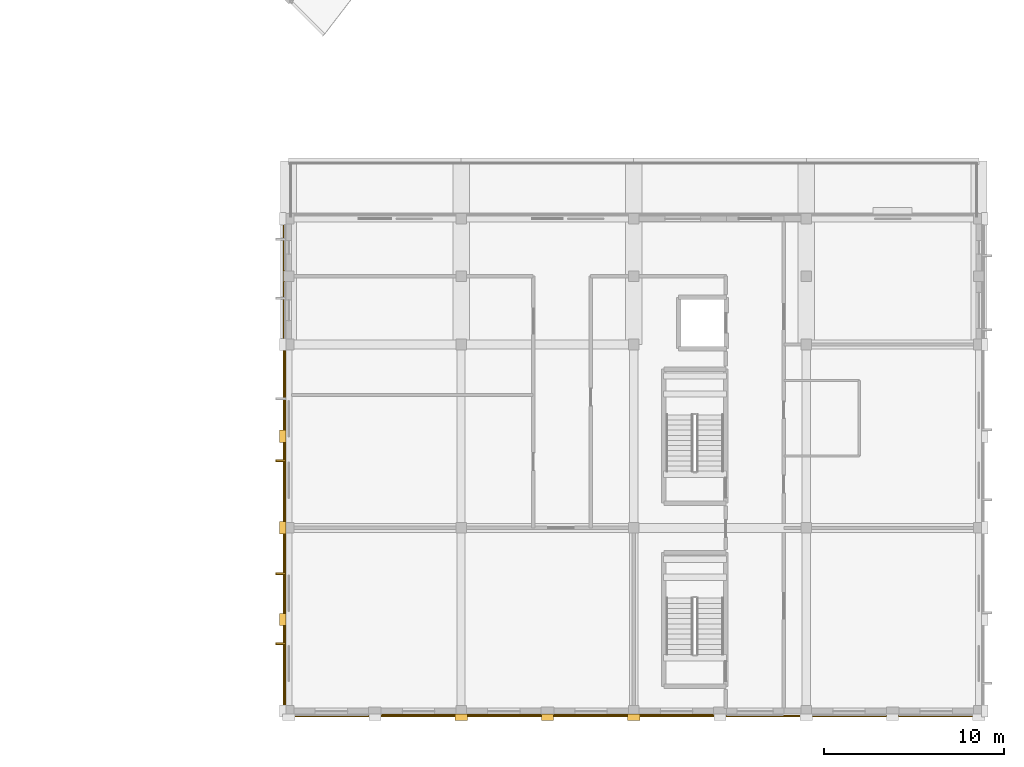
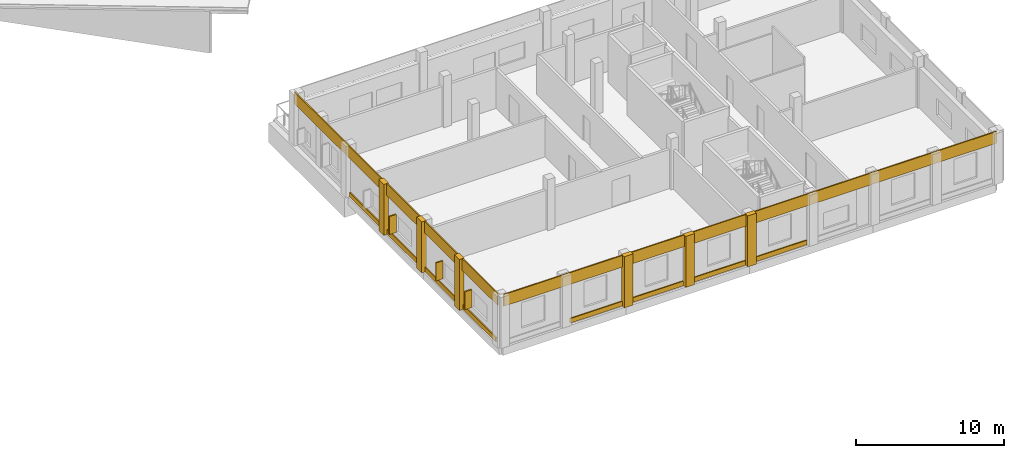
# One storey, part 197 of 200: 14 coverings, 3 shading devices.
"""IFC4 building model written with IfcOpenShell, lengths in metres."""

import ifcopenshell
import ifcopenshell.guid

model = None  # the IFC model being written
_history = None  # IfcOwnerHistory: only IFC2X3 demands one
_inside = {}  # id of a spatial element -> (the spatial element, [elements in it])
_under = {}  # id of a project, library or spatial element -> (it, [spatial elements below it])
_declared = {}  # id of a project -> (the project, [libraries it declares])
_typed = {}  # id of a type object -> (the type object, [elements of that type])
_made_of = {}  # id of a material, layer set ... -> (it, [elements and type objects made of it])


def new_model(schema):
    """Start an empty IFC model of exactly this schema.

    Asked for "IFC4X3", IfcOpenShell would pick the latest addendum, in which some entities
    have other attributes; the version numbers below select the first issue.
    IFC2X3 requires an IfcOwnerHistory on every rooted entity: one is made here for all.
    """
    global model, _history
    if schema == "IFC4X3":
        model = ifcopenshell.file(schema_version=(4, 3, 0, 0))
    else:
        model = ifcopenshell.file(schema=schema)
    _inside.clear()
    _under.clear()
    _declared.clear()
    _typed.clear()
    _made_of.clear()
    _history = None
    if model.schema == "IFC2X3":
        org = make("IfcOrganization", Name="unknown")
        user = make(
            "IfcPersonAndOrganization",
            ThePerson=make("IfcPerson", FamilyName="unknown"),
            TheOrganization=org,
        )
        app = make(
            "IfcApplication",
            ApplicationDeveloper=org,
            Version="unknown",
            ApplicationFullName="unknown",
            ApplicationIdentifier="unknown",
        )
        _history = make(
            "IfcOwnerHistory",
            OwningUser=user,
            OwningApplication=app,
            ChangeAction="ADDED",
            CreationDate=0,
        )
    return model


def make(cls, **values):
    """One entity of the class cls with the attributes given. An attribute that is None is left unset."""
    return model.create_entity(
        cls, **{name: value for name, value in values.items() if value is not None}
    )


def rooted(cls, **values):
    """An entity with a GlobalId (a new one), such as an element, a storey or a relation."""
    return make(cls, GlobalId=ifcopenshell.guid.new(), OwnerHistory=_history, **values)


def si_unit(unit_type, name, prefix=None):
    """IfcSIUnit, for example si_unit("LENGTHUNIT", "METRE", prefix="MILLI")."""
    return make("IfcSIUnit", UnitType=unit_type, Prefix=prefix, Name=name)


def assignment(units):
    """IfcUnitAssignment: the units of a project."""
    return None if units is None else make("IfcUnitAssignment", Units=units)


def point(xyz):
    """IfcCartesianPoint."""
    return None if xyz is None else make("IfcCartesianPoint", Coordinates=xyz)


def direction(xyz):
    """IfcDirection."""
    return None if xyz is None else make("IfcDirection", DirectionRatios=xyz)


def frame(location, z_axis=None, x_axis=None):
    """IfcAxis2Placement3D, a coordinate frame: its origin and axes. An axis left out is left unset."""
    return make(
        "IfcAxis2Placement3D",
        Location=point(location),
        Axis=direction(z_axis),
        RefDirection=direction(x_axis),
    )


def frame_2d(location, x_axis=None):
    """IfcAxis2Placement2D, a coordinate frame in the plane: its origin and x axis."""
    return make(
        "IfcAxis2Placement2D", Location=point(location), RefDirection=direction(x_axis)
    )


def origin():
    """The frame at (0, 0, 0) with its axes left unset."""
    return frame((0.0, 0.0, 0.0))


def origin_2d():
    """The frame at (0, 0) in the plane with its x axis left unset."""
    return frame_2d((0.0, 0.0))


def place(relative_to, where):
    """IfcLocalPlacement: puts the frame where relative to a parent placement (None: the world)."""
    return make(
        "IfcLocalPlacement", PlacementRelTo=relative_to, RelativePlacement=where
    )


def context(
    kind, dimensions, precision=None, world=None, true_north=None, identifier=None
):
    """IfcGeometricRepresentationContext, for example the 3D "Model" context."""
    return make(
        "IfcGeometricRepresentationContext",
        ContextIdentifier=identifier,
        ContextType=kind,
        CoordinateSpaceDimension=dimensions,
        Precision=precision,
        WorldCoordinateSystem=world,
        TrueNorth=true_north,
    )


def subcontext(parent, identifier, kind, view, scale=None):
    """IfcGeometricRepresentationSubContext, for example "Body" below "Model"."""
    return make(
        "IfcGeometricRepresentationSubContext",
        ContextIdentifier=identifier,
        ContextType=kind,
        ParentContext=parent,
        TargetScale=scale,
        TargetView=view,
    )


def project(units=None, contexts=None):
    """IfcProject with its units and contexts."""
    return rooted(
        "IfcProject",
        Name="project",
        RepresentationContexts=contexts,
        UnitsInContext=assignment(units),
    )


def spatial(cls, under=None, at=None, **own):
    """A site, building, storey or space (cls), placed at a placement, below another one or the project."""
    s = rooted(cls, ObjectPlacement=at, **own)
    if under is not None:
        _under.setdefault(under.id(), (under, []))[1].append(s)
    return s


def profile(cls, at=None, kind="AREA", **sizes):
    """A parametric profile (cls). Its sizes go by their IFC names, for example OverallWidth=200.0."""
    return make(cls, ProfileType=kind, Position=at, **sizes)


def rectangle(**sizes):
    """IfcRectangleProfileDef."""
    return profile("IfcRectangleProfileDef", **sizes)


def extrude(swept, where, along, depth):
    """IfcExtrudedAreaSolid: the profile swept, set in the frame where, extruded along a direction by depth."""
    return make(
        "IfcExtrudedAreaSolid",
        SweptArea=swept,
        Position=where,
        ExtrudedDirection=direction(along),
        Depth=depth,
    )


def shape(context_of_items, identifier, shape_type, items):
    """IfcShapeRepresentation: the items that make up one representation, for example the "Body"."""
    return make(
        "IfcShapeRepresentation",
        ContextOfItems=context_of_items,
        RepresentationIdentifier=identifier,
        RepresentationType=shape_type,
        Items=items,
    )


def material(Name=None, Category=None):
    """IfcMaterial."""
    return make("IfcMaterial", Name=Name, Category=Category)


def layer(
    of_material, thickness, ventilated=None, Name=None, Category=None, Priority=None
):
    """IfcMaterialLayer: one layer of a wall or slab, of a material (None: an air gap)."""
    return make(
        "IfcMaterialLayer",
        Material=of_material,
        LayerThickness=thickness,
        IsVentilated=ventilated,
        Name=Name,
        Category=Category,
        Priority=Priority,
    )


def layer_set(layers, Name=None):
    """IfcMaterialLayerSet."""
    return make("IfcMaterialLayerSet", MaterialLayers=layers, LayerSetName=Name)


def made_of(thing, what):
    """Note that an element or type object is made of a material, layer set ...; save() writes the relation."""
    if what is not None:
        _made_of.setdefault(what.id(), (what, []))[1].append(thing)
    return thing


def type_object(cls, material=None, **own):
    """A type object (cls), such as IfcWallType, which elements share."""
    return made_of(rooted(cls, **own), material)


def element(
    cls,
    number,
    at=None,
    inside=None,
    cuts=None,
    type_object=None,
    material=None,
    context=None,
    identifier="Body",
    shape_type=None,
    held_by="IfcProductDefinitionShape",
    body=None,
    shapes=None,
    **own,
):
    """One element of the class cls, such as IfcWall. Its Tag is "e" and its number.

    at: its placement. inside: the storey or other place that contains it. cuts: it is an
    opening in that element (IfcRelVoidsElement). A single representation is given by context,
    identifier, shape_type and body (its items); several are given by shapes. held_by: the class
    of the entity that holds the representations. save() writes the other relations.
    """
    e = rooted(cls, Tag="e%d" % number, ObjectPlacement=at, **own)
    if body is not None:
        shapes = [shape(context, identifier, shape_type, body)]
    if shapes is not None:
        e.Representation = make(held_by, Representations=shapes)
    if inside is not None:
        _inside.setdefault(inside.id(), (inside, []))[1].append(e)
    if cuts is not None:
        rooted(
            "IfcRelVoidsElement", RelatingBuildingElement=cuts, RelatedOpeningElement=e
        )
    if type_object is not None:
        _typed.setdefault(type_object.id(), (type_object, []))[1].append(e)
    return made_of(e, material)


def aggregate(whole, parts):
    """IfcRelAggregates: a whole, such as a stair, and the parts it consists of."""
    return rooted("IfcRelAggregates", RelatingObject=whole, RelatedObjects=parts)


def save(model, path):
    """Write the relations noted so far, then the file.

    IfcRelAggregates (storeys below a building ...), IfcRelContainedInSpatialStructure (elements
    in a storey), IfcRelDefinesByType, IfcRelAssociatesMaterial and IfcRelDeclares: one each for
    every whole, place, type object, material and project.
    """
    for whole, parts in _under.values():
        aggregate(whole, parts)
    for where, things in _inside.values():
        rooted(
            "IfcRelContainedInSpatialStructure",
            RelatedElements=things,
            RelatingStructure=where,
        )
    for kind, things in _typed.values():
        rooted("IfcRelDefinesByType", RelatedObjects=things, RelatingType=kind)
    for what, things in _made_of.values():
        rooted("IfcRelAssociatesMaterial", RelatedObjects=things, RelatingMaterial=what)
    for by, libraries in _declared.values():
        rooted("IfcRelDeclares", RelatingContext=by, RelatedDefinitions=libraries)
    model.write(path)


model = new_model("IFC4")

# Units and contexts
model_context = context("Model", 3, precision=1e-05, world=origin(), true_north=direction((0.0, 1.0)))
body_context = subcontext(model_context, "Body", "Model", "MODEL_VIEW")
ifc_project = project(units=[si_unit("LENGTHUNIT", "METRE"), si_unit("AREAUNIT", "SQUARE_METRE"), si_unit("VOLUMEUNIT", "CUBIC_METRE"), si_unit("PLANEANGLEUNIT", "RADIAN"), si_unit("MASSUNIT", "GRAM", prefix="KILO")], contexts=[model_context])

# Site, building, storey
site_placement = place(None, origin())
site = spatial("IfcSite", under=ifc_project, at=site_placement, CompositionType="ELEMENT")
building_placement = place(site_placement, origin())
building = spatial("IfcBuilding", under=site, at=building_placement, Name="Vondelvale Polytechnic", CompositionType="ELEMENT")
storey_placement = place(building_placement, frame((0.0, 0.0, 13.800048828125)))
storey = spatial("IfcBuildingStorey", under=building, at=storey_placement, Name="L03", CompositionType="ELEMENT", Elevation=13.800048828125)

# Coverings
ifc_material_1 = material(Name="Amsterdam School iron-spot clinker clay brickwork", Category="masonry")
ifc_layer = layer(ifc_material_1, 0.090087890625)
ifc_layer_set = layer_set([ifc_layer], Name="COV-BRICK-RELIEF")
covering_type = type_object("IfcCoveringType", Name="COV-BRICK-RELIEF", PredefinedType="CLADDING", material=ifc_layer_set)
covering_1_placement = place(storey_placement, frame((153.60009765625, -0.264892578125, 3.239990234375), z_axis=(0.0, 0.0, 1.0), x_axis=(1.0, 0.0, 0.0)))
element("IfcCovering", 1, at=covering_1_placement, inside=storey, type_object=covering_type, Name="L03 exterior masonry spandrel band", PredefinedType="CLADDING", context=body_context, shape_type="SweptSolid", body=[
    extrude(rectangle(XDim=38.39990234375, YDim=0.090087890625, at=origin_2d()), origin(), (0.0, 0.0, 1.0), 0.9599609375),
])
covering_2_placement = place(storey_placement, frame((134.135009765625, 13.699951171875, 3.239990234375), z_axis=(0.0, 0.0, 1.0), x_axis=(0.0, 1.0, 0.0)))
element("IfcCovering", 2, at=covering_2_placement, inside=storey, type_object=covering_type, Name="L03 exterior masonry spandrel band", PredefinedType="CLADDING", context=body_context, shape_type="SweptSolid", body=[
    extrude(rectangle(XDim=27.39990234375, YDim=0.090087890625, at=origin_2d()), origin(), (0.0, 0.0, 1.0), 0.9599609375),
])
for number, where, z_axis, x_axis, name in (
    (3, (141.625, -0.2109375, 0.0), (0.0, 0.0, 1.0), (-1.0, 0.0, 0.0), "L03 exterior corbelled masonry relief band"),
    (4, (146.375, -0.2109375, 0.0), (0.0, 0.0, 1.0), (-1.0, 0.0, 0.0), "L03 exterior corbelled masonry relief band"),
    (5, (151.22509765625, -0.2109375, 0.0), (0.0, 0.0, 1.0), (-1.0, 0.0, 0.0), "L03 exterior corbelled masonry relief band"),
    (6, (155.97509765625, -0.2109375, 0.0), (0.0, 0.0, 1.0), (-1.0, 0.0, 0.0), "L03 exterior corbelled masonry relief band"),
):
    element("IfcCovering", number, at=place(storey_placement, frame(where, z_axis=z_axis, x_axis=x_axis)), inside=storey, type_object=covering_type, Name=name, PredefinedType="CLADDING", context=body_context, shape_type="SweptSolid", body=[
        extrude(rectangle(XDim=4.087890625, YDim=0.090087890625, at=origin_2d()), origin(), (0.0, 0.0, 1.0), 0.3798828125),
    ])
for number, where, z_axis, x_axis, name in (
    (7, (134.18896484375, 5.10009765625, 0.0), (0.0, 0.0, 1.0), (0.0, 1.0, 0.0), "L03 exterior corbelled masonry relief band"),
    (8, (134.18896484375, 15.300048828125, 0.0), (0.0, 0.0, 1.0), (0.0, 1.0, 0.0), "L03 exterior corbelled masonry relief band"),
):
    element("IfcCovering", number, at=place(storey_placement, frame(where, z_axis=z_axis, x_axis=x_axis)), inside=storey, type_object=covering_type, Name=name, PredefinedType="CLADDING", context=body_context, shape_type="SweptSolid", body=[
        extrude(rectangle(XDim=9.5380859375, YDim=0.090087890625, at=origin_2d()), origin(), (0.0, 0.0, 1.0), 0.3798828125),
    ])
for number, where, z_axis, x_axis, name in (
    (9, (144.0, -0.340087890625, 0.0), (0.0, 0.0, 1.0), (1.0, 0.0, 0.0), "L03 Lecture wing giant-order pilaster S"),
    (10, (148.800048828125, -0.340087890625, 0.0), (0.0, 0.0, 1.0), (1.0, 0.0, 0.0), "L03 Lecture wing giant-order pilaster S"),
    (11, (153.60009765625, -0.340087890625, 0.0), (0.0, 0.0, 1.0), (1.0, 0.0, 0.0), "L03 Lecture wing giant-order pilaster S"),
):
    element("IfcCovering", number, at=place(storey_placement, frame(where, z_axis=z_axis, x_axis=x_axis)), inside=storey, type_object=covering_type, Name=name, PredefinedType="CLADDING", context=body_context, shape_type="SweptSolid", body=[
        extrude(rectangle(XDim=0.679931640625, YDim=0.360107421875, at=origin_2d()), origin(), (0.0, 0.0, 1.0), 4.199951171875),
    ])
for number, where, z_axis, x_axis, name in (
    (12, (134.06005859375, 5.10009765625, 0.0), (0.0, 0.0, 1.0), (1.0, 0.0, 0.0), "L03 Lecture wing giant-order pilaster W"),
    (13, (134.06005859375, 10.199951171875, 0.0), (0.0, 0.0, 1.0), (1.0, 0.0, 0.0), "L03 Lecture wing giant-order pilaster W"),
    (14, (134.06005859375, 15.300048828125, 0.0), (0.0, 0.0, 1.0), (1.0, 0.0, 0.0), "L03 Lecture wing giant-order pilaster W"),
):
    element("IfcCovering", number, at=place(storey_placement, frame(where, z_axis=z_axis, x_axis=x_axis)), inside=storey, type_object=covering_type, Name=name, PredefinedType="CLADDING", context=body_context, shape_type="SweptSolid", body=[
        extrude(rectangle(XDim=0.360107421875, YDim=0.679931640625, at=origin_2d()), origin(), (0.0, 0.0, 1.0), 4.199951171875),
    ])

# Shading devices
ifc_material_2 = material(Name="Kiln-fired architectural terracotta", Category="masonry")
shading_device_type = type_object("IfcShadingDeviceType", Name="SHD-TERRA-FIN-550", PredefinedType="JALOUSIE", material=ifc_material_2)
for number, where, z_axis, x_axis, name in (
    (15, (133.969970703125, 3.740966796875, 0.7900390625), (0.0, 0.0, 1.0), (0.0, 1.0, 0.0), "L03 vertical terracotta solar fin"),
    (16, (133.969970703125, 7.64111328125, 0.7900390625), (0.0, 0.0, 1.0), (0.0, 1.0, 0.0), "L03 vertical terracotta solar fin"),
    (17, (133.969970703125, 13.94091796875, 0.7900390625), (0.0, 0.0, 1.0), (0.0, 1.0, 0.0), "L03 vertical terracotta solar fin"),
):
    element("IfcShadingDevice", number, at=place(storey_placement, frame(where, z_axis=z_axis, x_axis=x_axis)), inside=storey, type_object=shading_device_type, Name=name, PredefinedType="JALOUSIE", context=body_context, shape_type="SweptSolid", body=[
        extrude(rectangle(XDim=0.110107421875, YDim=0.550048828125, at=origin_2d()), origin(), (0.0, 0.0, 1.0), 1.469970703125),
    ])

save(model, "model.ifc")
